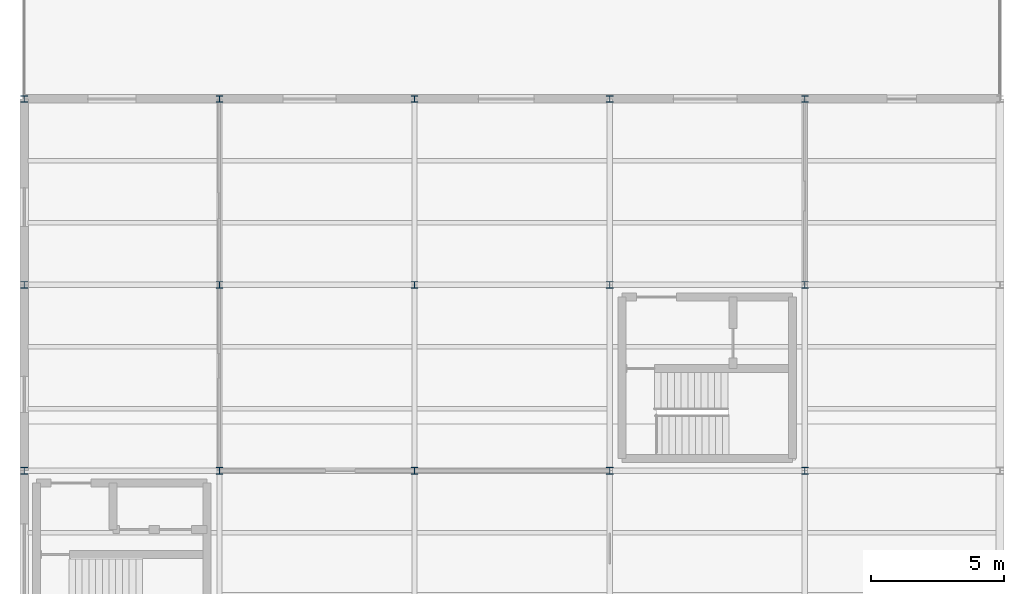
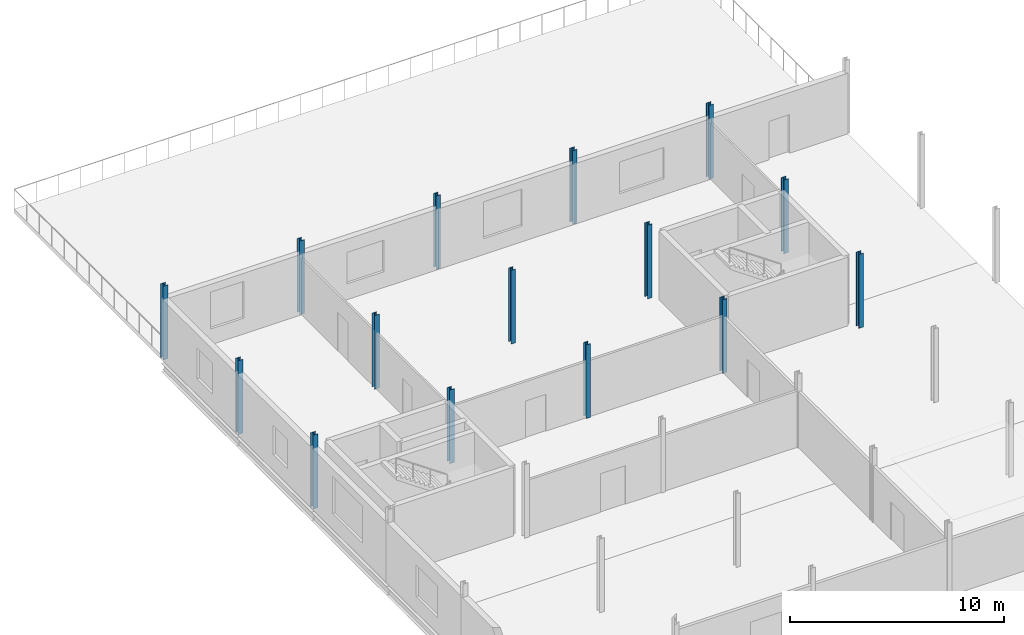
# One storey, part 4 of 9: 15 columns.
"""IFC4 building model written with IfcOpenShell, lengths in metres."""

from ifc_helpers import new_model, si_unit, direction, frame, origin, origin_2d, place, context, subcontext, project, spatial, i_section, extrude, material, material_profile, profile_set, type_object, element, save


model = new_model("IFC4")

# Units and contexts
model_context = context("Model", 3, precision=1e-05, world=origin(), true_north=direction((0.0, 1.0)))
body_context = subcontext(model_context, "Body", "Model", "MODEL_VIEW")
ifc_project = project(units=[si_unit("LENGTHUNIT", "METRE"), si_unit("AREAUNIT", "SQUARE_METRE"), si_unit("VOLUMEUNIT", "CUBIC_METRE"), si_unit("PLANEANGLEUNIT", "RADIAN"), si_unit("MASSUNIT", "GRAM", prefix="KILO")], contexts=[model_context])

# Site, building, storey
site_placement = place(None, origin())
site = spatial("IfcSite", under=ifc_project, at=site_placement, CompositionType="ELEMENT")
building_placement = place(site_placement, origin())
building = spatial("IfcBuilding", under=site, at=building_placement, Name="Kazenagashi Tramway Depot", CompositionType="ELEMENT")
storey_placement = place(building_placement, frame((0.0, 0.0, 15.3)))
storey = spatial("IfcBuildingStorey", under=building, at=storey_placement, Name="L04", CompositionType="ELEMENT", Elevation=15.3)

# Columns
ifc_material = material(Name="Steel SN490B", Category="steel")
ifc_material_profile = material_profile(ifc_material, i_section(OverallWidth=0.25, OverallDepth=0.25, WebThickness=0.009, FlangeThickness=0.014, at=origin_2d()), Name="H-250x250x9x14")
ifc_profile_set = profile_set([ifc_material_profile], Name="Steel SN490B")
column_type = type_object("IfcColumnType", Name="C-06", PredefinedType="COLUMN", material=ifc_profile_set)
for number, where, z_axis, x_axis, name in (
    (1, (0.0, 35.0, 0.0), (0.0, 0.0, 1.0), (1.0, 0.0, 0.0), "Column C-06 COL-0557"),
    (2, (0.0, 42.0, 0.0), (0.0, 0.0, 1.0), (1.0, 0.0, 0.0), "Column C-06 COL-0562"),
    (3, (0.0, 49.0, 0.0), (0.0, 0.0, 1.0), (1.0, 0.0, 0.0), "Column C-06 COL-0567"),
    (4, (7.35, 35.0, 0.0), (0.0, 0.0, 1.0), (1.0, 0.0, 0.0), "Column C-06 COL-0599"),
    (5, (7.35, 42.0, 0.0), (0.0, 0.0, 1.0), (1.0, 0.0, 0.0), "Column C-06 COL-0604"),
    (6, (7.35, 49.0, 0.0), (0.0, 0.0, 1.0), (1.0, 0.0, 0.0), "Column C-06 COL-0609"),
    (7, (14.7, 35.0, 0.0), (0.0, 0.0, 1.0), (1.0, 0.0, 0.0), "Column C-06 COL-0644"),
    (8, (14.7, 42.0, 0.0), (0.0, 0.0, 1.0), (1.0, 0.0, 0.0), "Column C-06 COL-0649"),
    (9, (14.7, 49.0, 0.0), (0.0, 0.0, 1.0), (1.0, 0.0, 0.0), "Column C-06 COL-0654"),
    (10, (22.05, 35.0, 0.0), (0.0, 0.0, 1.0), (1.0, 0.0, 0.0), "Column C-06 COL-0686"),
    (11, (22.05, 42.0, 0.0), (0.0, 0.0, 1.0), (1.0, 0.0, 0.0), "Column C-06 COL-0691"),
    (12, (22.05, 49.0, 0.0), (0.0, 0.0, 1.0), (1.0, 0.0, 0.0), "Column C-06 COL-0696"),
    (13, (29.4, 35.0, 0.0), (0.0, 0.0, 1.0), (1.0, 0.0, 0.0), "Column C-06 COL-0731"),
    (14, (29.4, 42.0, 0.0), (0.0, 0.0, 1.0), (1.0, 0.0, 0.0), "Column C-06 COL-0736"),
    (15, (29.4, 49.0, 0.0), (0.0, 0.0, 1.0), (1.0, 0.0, 0.0), "Column C-06 COL-0741"),
):
    element("IfcColumn", number, at=place(storey_placement, frame(where, z_axis=z_axis, x_axis=x_axis)), inside=storey, type_object=column_type, Name=name, PredefinedType="COLUMN", context=body_context, shape_type="SweptSolid", body=[
        extrude(i_section(OverallWidth=0.25, OverallDepth=0.25, WebThickness=0.009, FlangeThickness=0.014, at=origin_2d()), origin(), (0.0, 0.0, 1.0), 4.2),
    ])

save(model, "model.ifc")
